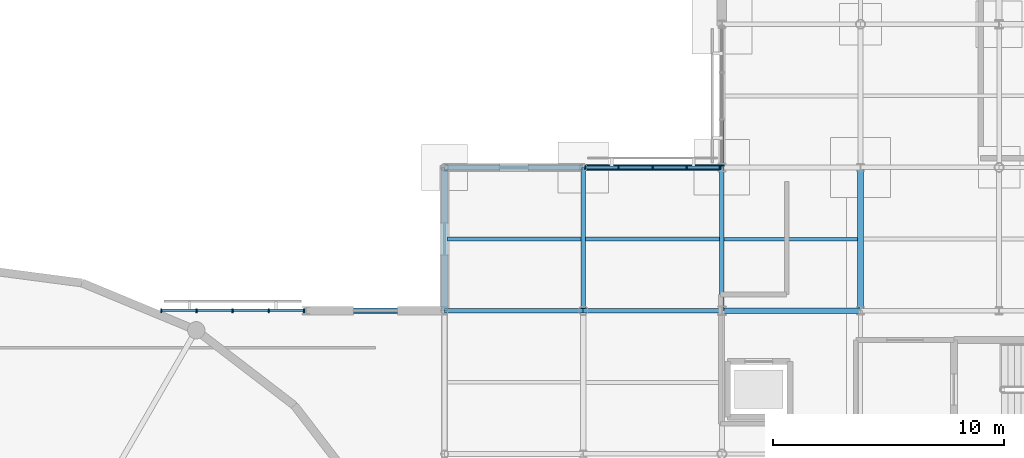
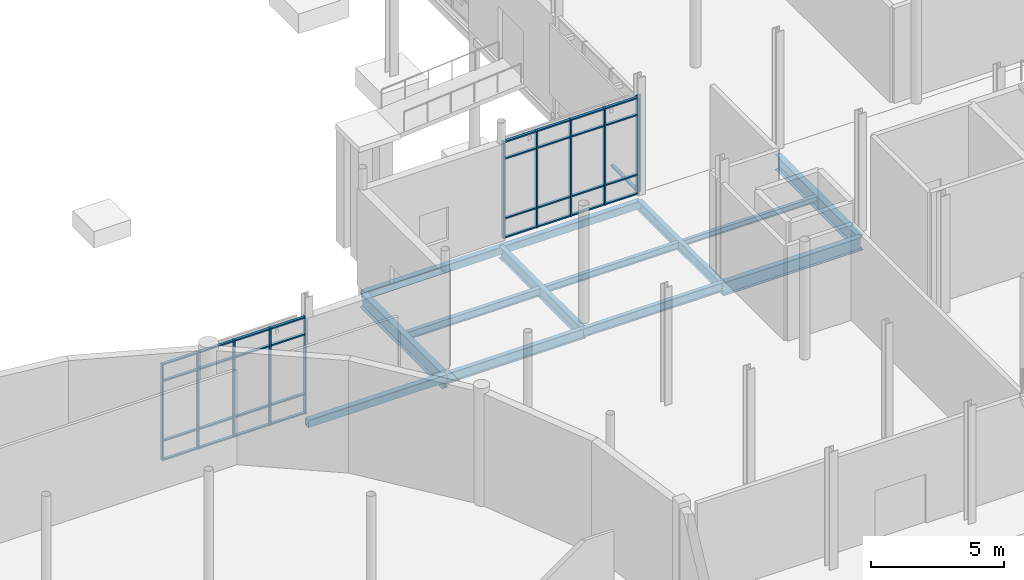
# One storey, part 46 of 98: 44 members, 13 beams, 3 elements without a shape of their own.
"""IFC4 building model written with IfcOpenShell, lengths in metres."""

from ifc_helpers import new_model, si_unit, direction, frame, origin, origin_2d, place, context, subcontext, project, spatial, rectangle, hollow_rectangle, i_section, extrude, material, layer, layer_set, material_profile, profile_set, type_object, element, aggregate, save


model = new_model("IFC4")

# Units and contexts
model_context = context("Model", 3, precision=1e-05, world=origin(), true_north=direction((0.0, 1.0)))
body_context = subcontext(model_context, "Body", "Model", "MODEL_VIEW")
ifc_project = project(units=[si_unit("LENGTHUNIT", "METRE"), si_unit("AREAUNIT", "SQUARE_METRE"), si_unit("VOLUMEUNIT", "CUBIC_METRE"), si_unit("PLANEANGLEUNIT", "RADIAN"), si_unit("MASSUNIT", "GRAM", prefix="KILO")], contexts=[model_context])

# Site, building, storey
site_placement = place(None, origin())
site = spatial("IfcSite", under=ifc_project, at=site_placement, CompositionType="ELEMENT")
building_placement = place(site_placement, origin())
building = spatial("IfcBuilding", under=site, at=building_placement, Name="Mirzam Square Science Centre", CompositionType="ELEMENT")
storey_placement = place(building_placement, origin())
storey = spatial("IfcBuildingStorey", under=building, at=storey_placement, Name="L00", CompositionType="ELEMENT", Elevation=0.0)

# Beams
ifc_material_1 = material(Name="Steel S355", Category="steel")
ifc_material_profile_1 = material_profile(ifc_material_1, i_section(OverallWidth=0.1787109375, OverallDepth=0.409423828125, WebThickness=0.0087890625, FlangeThickness=0.014404296875, FilletRadius=0.01025390625, at=origin_2d()), Name="406x178x67UB")
ifc_profile_set_1 = profile_set([ifc_material_profile_1], Name="Steel S355")
beam_type_1 = type_object("IfcBeamType", Name="BM-UB406", PredefinedType="BEAM", material=ifc_profile_set_1)
beam_1_placement = place(storey_placement, frame((108.0, 80.60009765625, -0.504638671875), z_axis=(1.0, 0.0, 0.0), x_axis=(0.0, 1.0, 0.0)))
element("IfcBeam", 1, at=beam_1_placement, inside=storey, type_object=beam_type_1, Name="L00 girder X19-14", PredefinedType="BEAM", context=body_context, shape_type="SweptSolid", body=[
    extrude(i_section(OverallWidth=0.1787109375, OverallDepth=0.409423828125, WebThickness=0.0087890625, FlangeThickness=0.014404296875, FilletRadius=0.01025390625, at=origin_2d()), origin(), (0.0, 0.0, 1.0), 6.0),
])
ifc_material_profile_2 = material_profile(ifc_material_1, i_section(OverallWidth=0.19140625, OverallDepth=0.4599609375, WebThickness=0.010009765625, FlangeThickness=0.01611328125, FilletRadius=0.01025390625, at=origin_2d()), Name="457x191x82UB")
ifc_profile_set_2 = profile_set([ifc_material_profile_2], Name="Steel S355")
beam_type_2 = type_object("IfcBeamType", Name="BM-UB457", PredefinedType="BEAM", material=ifc_profile_set_2)
beam_2_placement = place(storey_placement, frame((102.0, 80.60009765625, -0.530029296875), z_axis=(1.0, 0.0, 0.0), x_axis=(0.0, 1.0, 0.0)))
element("IfcBeam", 2, at=beam_2_placement, inside=storey, type_object=beam_type_2, Name="L00 girder X18-14", PredefinedType="BEAM", context=body_context, shape_type="SweptSolid", body=[
    extrude(i_section(OverallWidth=0.19140625, OverallDepth=0.4599609375, WebThickness=0.010009765625, FlangeThickness=0.01611328125, FilletRadius=0.01025390625, at=origin_2d()), origin(), (0.0, 0.0, 1.0), 6.0),
])
beam_3_placement = place(storey_placement, frame((114.0, 80.60009765625, -0.530029296875), z_axis=(0.0, 1.0, 0.0), x_axis=(-1.0, 0.0, 0.0)))
element("IfcBeam", 3, at=beam_3_placement, inside=storey, type_object=beam_type_2, Name="L00 girder Y20-14", PredefinedType="BEAM", context=body_context, shape_type="SweptSolid", body=[
    extrude(i_section(OverallWidth=0.19140625, OverallDepth=0.4599609375, WebThickness=0.010009765625, FlangeThickness=0.01611328125, FilletRadius=0.01025390625, at=origin_2d()), origin(), (0.0, 0.0, 1.0), 6.199951171875),
])
ifc_material_profile_3 = material_profile(ifc_material_1, i_section(OverallWidth=0.2099609375, OverallDepth=0.53662109375, WebThickness=0.0107421875, FlangeThickness=0.017333984375, FilletRadius=0.0126953125, at=origin_2d()), Name="533x210x101UB")
ifc_profile_set_3 = profile_set([ifc_material_profile_3], Name="Steel S355")
beam_type_3 = type_object("IfcBeamType", Name="BM-UB533", PredefinedType="BEAM", material=ifc_profile_set_3)
beam_4_placement = place(storey_placement, frame((108.0, 80.60009765625, -0.568359375), z_axis=(0.0, 1.0, 0.0), x_axis=(-1.0, 0.0, 0.0)))
element("IfcBeam", 4, at=beam_4_placement, inside=storey, type_object=beam_type_3, Name="L00 girder Y19-14", PredefinedType="BEAM", context=body_context, shape_type="SweptSolid", body=[
    extrude(i_section(OverallWidth=0.2099609375, OverallDepth=0.53662109375, WebThickness=0.0107421875, FlangeThickness=0.017333984375, FilletRadius=0.0126953125, at=origin_2d()), origin(), (0.0, 0.0, 1.0), 6.199951171875),
])
ifc_material_profile_4 = material_profile(ifc_material_1, i_section(OverallWidth=0.22900390625, OverallDepth=0.6123046875, WebThickness=0.011962890625, FlangeThickness=0.01953125, FilletRadius=0.0126953125, at=origin_2d()), Name="610x229x125UB")
ifc_profile_set_4 = profile_set([ifc_material_profile_4], Name="Steel S355")
beam_type_4 = type_object("IfcBeamType", Name="BM-UB610", PredefinedType="BEAM", material=ifc_profile_set_4)
beam_5_placement = place(storey_placement, frame((114.0, 80.60009765625, -0.606201171875), z_axis=(1.0, 0.0, 0.0), x_axis=(0.0, 1.0, 0.0)))
element("IfcBeam", 5, at=beam_5_placement, inside=storey, type_object=beam_type_4, Name="L00 girder X20-14", PredefinedType="BEAM", context=body_context, shape_type="SweptSolid", body=[
    extrude(i_section(OverallWidth=0.22900390625, OverallDepth=0.6123046875, WebThickness=0.011962890625, FlangeThickness=0.01953125, FilletRadius=0.0126953125, at=origin_2d()), origin(), (0.0, 0.0, 1.0), 6.0),
])
ifc_material_profile_5 = material_profile(ifc_material_1, i_section(OverallWidth=0.25439453125, OverallDepth=0.6875, WebThickness=0.01318359375, FlangeThickness=0.02099609375, FilletRadius=0.01513671875, at=origin_2d()), Name="686x254x152UB")
ifc_profile_set_5 = profile_set([ifc_material_profile_5], Name="Steel S355")
beam_type_5 = type_object("IfcBeamType", Name="BM-UB686", PredefinedType="BEAM", material=ifc_profile_set_5)
for number, where, z_axis, x_axis, name in (
    (6, (102.0, 80.60009765625, -0.643798828125), (0.0, 1.0, 0.0), (-1.0, 0.0, 0.0), "L00 girder Y18-14"),
    (7, (120.0, 80.60009765625, -0.643798828125), (0.0, 1.0, 0.0), (-1.0, 0.0, 0.0), "L00 girder Y21-14"),
):
    element("IfcBeam", number, at=place(storey_placement, frame(where, z_axis=z_axis, x_axis=x_axis)), inside=storey, type_object=beam_type_5, Name=name, PredefinedType="BEAM", context=body_context, shape_type="SweptSolid", body=[
        extrude(i_section(OverallWidth=0.25439453125, OverallDepth=0.6875, WebThickness=0.01318359375, FlangeThickness=0.02099609375, FilletRadius=0.01513671875, at=origin_2d()), origin(), (0.0, 0.0, 1.0), 6.199951171875),
    ])

# Curtain wall, members
ifc_material_2 = material(Name="Anodised Aluminium and Low-E Solar Glass", Category="aluminium")
ifc_layer_1 = layer(ifc_material_2, 0.199951171875)
ifc_layer_set_1 = layer_set([ifc_layer_1], Name="CW-EAST-A")
curtain_wall_type_1 = type_object("IfcCurtainWallType", Name="CW-EAST-A", PredefinedType="USERDEFINED", material=ifc_layer_set_1)
curtain_wall_1_placement = place(storey_placement, origin())
curtain_wall_1 = element("IfcCurtainWall", 8, at=curtain_wall_1_placement, inside=storey, type_object=curtain_wall_type_1, Name="L00 unitised curtain wall 48", ObjectType="UNITISED CURTAIN WALL", PredefinedType="USERDEFINED")
ifc_material_3 = material(Name="Anodised Architectural Aluminium 6063-T6", Category="aluminium")
ifc_material_profile_6 = material_profile(ifc_material_3, rectangle(XDim=0.06005859375, YDim=0.159912109375, at=origin_2d()), Name="ALU-MULL-160x60x4")
ifc_profile_set_6 = profile_set([ifc_material_profile_6], Name="Anodised Architectural Aluminium 6063-T6")
member_type_1 = type_object("IfcMemberType", Name="CWM-160", PredefinedType="MULLION", material=ifc_profile_set_6)
member_1_placement = place(storey_placement, frame((95.9150390625, 80.60009765625, 0.0), z_axis=(0.0, 0.0, 1.0), x_axis=(-1.0, 0.0, 0.0)))
member_1 = element("IfcMember", 9, at=member_1_placement, type_object=member_type_1, Name="CW-05 mullion 1", PredefinedType="MULLION", context=body_context, shape_type="SweptSolid", body=[
    extrude(rectangle(XDim=0.06005859375, YDim=0.159912109375, at=origin_2d()), origin(), (0.0, 0.0, 1.0), 4.43994140625),
])
member_2_placement = place(storey_placement, frame((94.385009765625, 80.60009765625, 0.0), z_axis=(0.0, 0.0, 1.0), x_axis=(-1.0, 0.0, 0.0)))
member_2 = element("IfcMember", 10, at=member_2_placement, type_object=member_type_1, Name="CW-05 mullion 2", PredefinedType="MULLION", context=body_context, shape_type="SweptSolid", body=[
    extrude(rectangle(XDim=0.06005859375, YDim=0.159912109375, at=origin_2d()), origin(), (0.0, 0.0, 1.0), 4.43994140625),
])
member_3_placement = place(storey_placement, frame((92.824951171875, 80.60009765625, 0.0), z_axis=(0.0, 0.0, 1.0), x_axis=(-1.0, 0.0, 0.0)))
member_3 = element("IfcMember", 11, at=member_3_placement, type_object=member_type_1, Name="CW-05 mullion 3", PredefinedType="MULLION", context=body_context, shape_type="SweptSolid", body=[
    extrude(rectangle(XDim=0.06005859375, YDim=0.159912109375, at=origin_2d()), origin(), (0.0, 0.0, 1.0), 4.43994140625),
])
member_4_placement = place(storey_placement, frame((91.264892578125, 80.60009765625, 0.0), z_axis=(0.0, 0.0, 1.0), x_axis=(-1.0, 0.0, 0.0)))
member_4 = element("IfcMember", 12, at=member_4_placement, type_object=member_type_1, Name="CW-05 mullion 4", PredefinedType="MULLION", context=body_context, shape_type="SweptSolid", body=[
    extrude(rectangle(XDim=0.06005859375, YDim=0.159912109375, at=origin_2d()), origin(), (0.0, 0.0, 1.0), 4.43994140625),
])
member_5_placement = place(storey_placement, frame((89.735107421875, 80.60009765625, 0.0), z_axis=(0.0, 0.0, 1.0), x_axis=(-1.0, 0.0, 0.0)))
member_5 = element("IfcMember", 13, at=member_5_placement, type_object=member_type_1, Name="CW-05 mullion 5", PredefinedType="MULLION", context=body_context, shape_type="SweptSolid", body=[
    extrude(rectangle(XDim=0.06005859375, YDim=0.159912109375, at=origin_2d()), origin(), (0.0, 0.0, 1.0), 4.43994140625),
])

ifc_layer_2 = layer(ifc_material_2, 0.159912109375)
ifc_layer_set_2 = layer_set([ifc_layer_2], Name="CW-COURT-B")
curtain_wall_type_2 = type_object("IfcCurtainWallType", Name="CW-COURT-B", PredefinedType="USERDEFINED", material=ifc_layer_set_2)
curtain_wall_2_placement = place(storey_placement, origin())
curtain_wall_2 = element("IfcCurtainWall", 14, at=curtain_wall_2_placement, inside=storey, type_object=curtain_wall_type_2, Name="L00 unitised curtain wall 71", ObjectType="UNITISED CURTAIN WALL", PredefinedType="USERDEFINED")
member_6_placement = place(storey_placement, frame((113.9150390625, 86.800048828125, 0.0), z_axis=(0.0, 0.0, 1.0), x_axis=(-1.0, 0.0, 0.0)))
member_6 = element("IfcMember", 15, at=member_6_placement, type_object=member_type_1, Name="CW-04 mullion 1", PredefinedType="MULLION", context=body_context, shape_type="SweptSolid", body=[
    extrude(rectangle(XDim=0.06005859375, YDim=0.159912109375, at=origin_2d()), origin(), (0.0, 0.0, 1.0), 4.43994140625),
])
member_7_placement = place(storey_placement, frame((112.472412109375, 86.800048828125, 0.0), z_axis=(0.0, 0.0, 1.0), x_axis=(-1.0, 0.0, 0.0)))
member_7 = element("IfcMember", 16, at=member_7_placement, type_object=member_type_1, Name="CW-04 mullion 2", PredefinedType="MULLION", context=body_context, shape_type="SweptSolid", body=[
    extrude(rectangle(XDim=0.06005859375, YDim=0.159912109375, at=origin_2d()), origin(), (0.0, 0.0, 1.0), 4.43994140625),
])
member_8_placement = place(storey_placement, frame((111.0, 86.800048828125, 0.0), z_axis=(0.0, 0.0, 1.0), x_axis=(-1.0, 0.0, 0.0)))
member_8 = element("IfcMember", 17, at=member_8_placement, type_object=member_type_1, Name="CW-04 mullion 3", PredefinedType="MULLION", context=body_context, shape_type="SweptSolid", body=[
    extrude(rectangle(XDim=0.06005859375, YDim=0.159912109375, at=origin_2d()), origin(), (0.0, 0.0, 1.0), 4.43994140625),
])
member_9_placement = place(storey_placement, frame((109.527587890625, 86.800048828125, 0.0), z_axis=(0.0, 0.0, 1.0), x_axis=(-1.0, 0.0, 0.0)))
member_9 = element("IfcMember", 18, at=member_9_placement, type_object=member_type_1, Name="CW-04 mullion 4", PredefinedType="MULLION", context=body_context, shape_type="SweptSolid", body=[
    extrude(rectangle(XDim=0.06005859375, YDim=0.159912109375, at=origin_2d()), origin(), (0.0, 0.0, 1.0), 4.43994140625),
])
member_10_placement = place(storey_placement, frame((108.0849609375, 86.800048828125, 0.0), z_axis=(0.0, 0.0, 1.0), x_axis=(-1.0, 0.0, 0.0)))
member_10 = element("IfcMember", 19, at=member_10_placement, type_object=member_type_1, Name="CW-04 mullion 5", PredefinedType="MULLION", context=body_context, shape_type="SweptSolid", body=[
    extrude(rectangle(XDim=0.06005859375, YDim=0.159912109375, at=origin_2d()), origin(), (0.0, 0.0, 1.0), 4.43994140625),
])

# Curtain wall, member
ifc_layer_3 = layer(ifc_material_2, 0.199951171875)
ifc_layer_set_3 = layer_set([ifc_layer_3], Name="CW-PARK-B")
curtain_wall_type_3 = type_object("IfcCurtainWallType", Name="CW-PARK-B", PredefinedType="USERDEFINED", material=ifc_layer_set_3)
curtain_wall_3_placement = place(storey_placement, origin())
curtain_wall_3 = element("IfcCurtainWall", 20, at=curtain_wall_3_placement, inside=storey, type_object=curtain_wall_type_3, Name="L00 unitised curtain wall 75", ObjectType="UNITISED CURTAIN WALL", PredefinedType="USERDEFINED")
ifc_material_profile_7 = material_profile(ifc_material_3, rectangle(XDim=0.06494140625, YDim=0.199951171875, at=origin_2d()), Name="ALU-MULL-200x65x5")
ifc_profile_set_7 = profile_set([ifc_material_profile_7], Name="Anodised Architectural Aluminium 6063-T6")
member_type_2 = type_object("IfcMemberType", Name="CWM-200", PredefinedType="MULLION", material=ifc_profile_set_7)
member_11_placement = place(storey_placement, frame((114.0, 86.887451171875, 0.0), z_axis=(0.0, 0.0, 1.0), x_axis=(0.0, -1.0, 0.0)))
member_11 = element("IfcMember", 21, at=member_11_placement, type_object=member_type_2, Name="CW-02 mullion 4", PredefinedType="MULLION", context=body_context, shape_type="SweptSolid", body=[
    extrude(rectangle(XDim=0.06494140625, YDim=0.199951171875, at=origin_2d()), origin(), (0.0, 0.0, 1.0), 4.43994140625),
])

# Member
ifc_material_profile_8 = material_profile(ifc_material_3, rectangle(XDim=0.1201171875, YDim=0.06005859375, at=origin_2d()), Name="ALU-TRAN-120x60x4")
ifc_profile_set_8 = profile_set([ifc_material_profile_8], Name="Anodised Architectural Aluminium 6063-T6")
member_type_3 = type_object("IfcMemberType", Name="CWT-120", PredefinedType="USERDEFINED", material=ifc_profile_set_8)
member_12_placement = place(storey_placement, frame((95.885009765625, 80.60009765625, 0.030029296875), z_axis=(-1.0, 0.0, 0.0), x_axis=(0.0, -1.0, 0.0)))
member_12 = element("IfcMember", 22, at=member_12_placement, type_object=member_type_3, Name="CW-05 transom 1.1", ObjectType="TRANSOM", PredefinedType="USERDEFINED", context=body_context, shape_type="SweptSolid", body=[
    extrude(rectangle(XDim=0.1201171875, YDim=0.06005859375, at=origin_2d()), origin(), (0.0, 0.0, 1.0), 1.469970703125),
])

member_13_placement = place(storey_placement, frame((95.885009765625, 80.60009765625, 0.89990234375), z_axis=(-1.0, 0.0, 0.0), x_axis=(0.0, -1.0, 0.0)))
member_13 = element("IfcMember", 23, at=member_13_placement, type_object=member_type_3, Name="CW-05 transom 1.2", ObjectType="TRANSOM", PredefinedType="USERDEFINED", context=body_context, shape_type="SweptSolid", body=[
    extrude(rectangle(XDim=0.1201171875, YDim=0.06005859375, at=origin_2d()), origin(), (0.0, 0.0, 1.0), 1.469970703125),
])

member_14_placement = place(storey_placement, frame((95.885009765625, 80.60009765625, 3.639892578125), z_axis=(-1.0, 0.0, 0.0), x_axis=(0.0, -1.0, 0.0)))
member_14 = element("IfcMember", 24, at=member_14_placement, type_object=member_type_3, Name="CW-05 transom 1.3", ObjectType="TRANSOM", PredefinedType="USERDEFINED", context=body_context, shape_type="SweptSolid", body=[
    extrude(rectangle(XDim=0.1201171875, YDim=0.06005859375, at=origin_2d()), origin(), (0.0, 0.0, 1.0), 1.469970703125),
])

member_15_placement = place(storey_placement, frame((95.885009765625, 80.60009765625, 4.409912109375), z_axis=(-1.0, 0.0, 0.0), x_axis=(0.0, -1.0, 0.0)))
member_15 = element("IfcMember", 25, at=member_15_placement, type_object=member_type_3, Name="CW-05 transom 1.4", ObjectType="TRANSOM", PredefinedType="USERDEFINED", context=body_context, shape_type="SweptSolid", body=[
    extrude(rectangle(XDim=0.1201171875, YDim=0.06005859375, at=origin_2d()), origin(), (0.0, 0.0, 1.0), 1.469970703125),
])

member_16_placement = place(storey_placement, frame((94.35498046875, 80.60009765625, 0.030029296875), z_axis=(-1.0, 0.0, 0.0), x_axis=(0.0, -1.0, 0.0)))
member_16 = element("IfcMember", 26, at=member_16_placement, type_object=member_type_3, Name="CW-05 transom 2.1", ObjectType="TRANSOM", PredefinedType="USERDEFINED", context=body_context, shape_type="SweptSolid", body=[
    extrude(rectangle(XDim=0.1201171875, YDim=0.06005859375, at=origin_2d()), origin(), (0.0, 0.0, 1.0), 1.5),
])

member_17_placement = place(storey_placement, frame((94.35498046875, 80.60009765625, 0.89990234375), z_axis=(-1.0, 0.0, 0.0), x_axis=(0.0, -1.0, 0.0)))
member_17 = element("IfcMember", 27, at=member_17_placement, type_object=member_type_3, Name="CW-05 transom 2.2", ObjectType="TRANSOM", PredefinedType="USERDEFINED", context=body_context, shape_type="SweptSolid", body=[
    extrude(rectangle(XDim=0.1201171875, YDim=0.06005859375, at=origin_2d()), origin(), (0.0, 0.0, 1.0), 1.5),
])

member_18_placement = place(storey_placement, frame((94.35498046875, 80.60009765625, 3.639892578125), z_axis=(-1.0, 0.0, 0.0), x_axis=(0.0, -1.0, 0.0)))
member_18 = element("IfcMember", 28, at=member_18_placement, type_object=member_type_3, Name="CW-05 transom 2.3", ObjectType="TRANSOM", PredefinedType="USERDEFINED", context=body_context, shape_type="SweptSolid", body=[
    extrude(rectangle(XDim=0.1201171875, YDim=0.06005859375, at=origin_2d()), origin(), (0.0, 0.0, 1.0), 1.5),
])

member_19_placement = place(storey_placement, frame((94.35498046875, 80.60009765625, 4.409912109375), z_axis=(-1.0, 0.0, 0.0), x_axis=(0.0, -1.0, 0.0)))
member_19 = element("IfcMember", 29, at=member_19_placement, type_object=member_type_3, Name="CW-05 transom 2.4", ObjectType="TRANSOM", PredefinedType="USERDEFINED", context=body_context, shape_type="SweptSolid", body=[
    extrude(rectangle(XDim=0.1201171875, YDim=0.06005859375, at=origin_2d()), origin(), (0.0, 0.0, 1.0), 1.5),
])

member_20_placement = place(storey_placement, frame((92.794921875, 80.60009765625, 0.030029296875), z_axis=(-1.0, 0.0, 0.0), x_axis=(0.0, -1.0, 0.0)))
member_20 = element("IfcMember", 30, at=member_20_placement, type_object=member_type_3, Name="CW-05 transom 3.1", ObjectType="TRANSOM", PredefinedType="USERDEFINED", context=body_context, shape_type="SweptSolid", body=[
    extrude(rectangle(XDim=0.1201171875, YDim=0.06005859375, at=origin_2d()), origin(), (0.0, 0.0, 1.0), 1.5),
])

member_21_placement = place(storey_placement, frame((92.794921875, 80.60009765625, 0.89990234375), z_axis=(-1.0, 0.0, 0.0), x_axis=(0.0, -1.0, 0.0)))
member_21 = element("IfcMember", 31, at=member_21_placement, type_object=member_type_3, Name="CW-05 transom 3.2", ObjectType="TRANSOM", PredefinedType="USERDEFINED", context=body_context, shape_type="SweptSolid", body=[
    extrude(rectangle(XDim=0.1201171875, YDim=0.06005859375, at=origin_2d()), origin(), (0.0, 0.0, 1.0), 1.5),
])

member_22_placement = place(storey_placement, frame((92.794921875, 80.60009765625, 3.639892578125), z_axis=(-1.0, 0.0, 0.0), x_axis=(0.0, -1.0, 0.0)))
member_22 = element("IfcMember", 32, at=member_22_placement, type_object=member_type_3, Name="CW-05 transom 3.3", ObjectType="TRANSOM", PredefinedType="USERDEFINED", context=body_context, shape_type="SweptSolid", body=[
    extrude(rectangle(XDim=0.1201171875, YDim=0.06005859375, at=origin_2d()), origin(), (0.0, 0.0, 1.0), 1.5),
])

member_23_placement = place(storey_placement, frame((92.794921875, 80.60009765625, 4.409912109375), z_axis=(-1.0, 0.0, 0.0), x_axis=(0.0, -1.0, 0.0)))
member_23 = element("IfcMember", 33, at=member_23_placement, type_object=member_type_3, Name="CW-05 transom 3.4", ObjectType="TRANSOM", PredefinedType="USERDEFINED", context=body_context, shape_type="SweptSolid", body=[
    extrude(rectangle(XDim=0.1201171875, YDim=0.06005859375, at=origin_2d()), origin(), (0.0, 0.0, 1.0), 1.5),
])

member_24_placement = place(storey_placement, frame((91.235107421875, 80.60009765625, 0.030029296875), z_axis=(-1.0, 0.0, 0.0), x_axis=(0.0, -1.0, 0.0)))
member_24 = element("IfcMember", 34, at=member_24_placement, type_object=member_type_3, Name="CW-05 transom 4.1", ObjectType="TRANSOM", PredefinedType="USERDEFINED", context=body_context, shape_type="SweptSolid", body=[
    extrude(rectangle(XDim=0.1201171875, YDim=0.06005859375, at=origin_2d()), origin(), (0.0, 0.0, 1.0), 1.47021484375),
])

member_25_placement = place(storey_placement, frame((91.235107421875, 80.60009765625, 0.89990234375), z_axis=(-1.0, 0.0, 0.0), x_axis=(0.0, -1.0, 0.0)))
member_25 = element("IfcMember", 35, at=member_25_placement, type_object=member_type_3, Name="CW-05 transom 4.2", ObjectType="TRANSOM", PredefinedType="USERDEFINED", context=body_context, shape_type="SweptSolid", body=[
    extrude(rectangle(XDim=0.1201171875, YDim=0.06005859375, at=origin_2d()), origin(), (0.0, 0.0, 1.0), 1.47021484375),
])

member_26_placement = place(storey_placement, frame((91.235107421875, 80.60009765625, 3.639892578125), z_axis=(-1.0, 0.0, 0.0), x_axis=(0.0, -1.0, 0.0)))
member_26 = element("IfcMember", 36, at=member_26_placement, type_object=member_type_3, Name="CW-05 transom 4.3", ObjectType="TRANSOM", PredefinedType="USERDEFINED", context=body_context, shape_type="SweptSolid", body=[
    extrude(rectangle(XDim=0.1201171875, YDim=0.06005859375, at=origin_2d()), origin(), (0.0, 0.0, 1.0), 1.47021484375),
])

member_27_placement = place(storey_placement, frame((91.235107421875, 80.60009765625, 4.409912109375), z_axis=(-1.0, 0.0, 0.0), x_axis=(0.0, -1.0, 0.0)))
member_27 = element("IfcMember", 37, at=member_27_placement, type_object=member_type_3, Name="CW-05 transom 4.4", ObjectType="TRANSOM", PredefinedType="USERDEFINED", context=body_context, shape_type="SweptSolid", body=[
    extrude(rectangle(XDim=0.1201171875, YDim=0.06005859375, at=origin_2d()), origin(), (0.0, 0.0, 1.0), 1.47021484375),
])

aggregate(curtain_wall_1, [member_1, member_2, member_3, member_4, member_5, member_12, member_13, member_14, member_15, member_16, member_17, member_18, member_19, member_20, member_21, member_22, member_23, member_24, member_25, member_26, member_27])

member_28_placement = place(storey_placement, frame((113.885009765625, 86.800048828125, 0.030029296875), z_axis=(-1.0, 0.0, 0.0), x_axis=(0.0, -1.0, 0.0)))
member_28 = element("IfcMember", 38, at=member_28_placement, type_object=member_type_3, Name="CW-04 transom 1.1", ObjectType="TRANSOM", PredefinedType="USERDEFINED", context=body_context, shape_type="SweptSolid", body=[
    extrude(rectangle(XDim=0.1201171875, YDim=0.06005859375, at=origin_2d()), origin(), (0.0, 0.0, 1.0), 1.382568359375),
])

member_29_placement = place(storey_placement, frame((113.885009765625, 86.800048828125, 0.89990234375), z_axis=(-1.0, 0.0, 0.0), x_axis=(0.0, -1.0, 0.0)))
member_29 = element("IfcMember", 39, at=member_29_placement, type_object=member_type_3, Name="CW-04 transom 1.2", ObjectType="TRANSOM", PredefinedType="USERDEFINED", context=body_context, shape_type="SweptSolid", body=[
    extrude(rectangle(XDim=0.1201171875, YDim=0.06005859375, at=origin_2d()), origin(), (0.0, 0.0, 1.0), 1.382568359375),
])

member_30_placement = place(storey_placement, frame((113.885009765625, 86.800048828125, 3.639892578125), z_axis=(-1.0, 0.0, 0.0), x_axis=(0.0, -1.0, 0.0)))
member_30 = element("IfcMember", 40, at=member_30_placement, type_object=member_type_3, Name="CW-04 transom 1.3", ObjectType="TRANSOM", PredefinedType="USERDEFINED", context=body_context, shape_type="SweptSolid", body=[
    extrude(rectangle(XDim=0.1201171875, YDim=0.06005859375, at=origin_2d()), origin(), (0.0, 0.0, 1.0), 1.382568359375),
])

member_31_placement = place(storey_placement, frame((113.885009765625, 86.800048828125, 4.409912109375), z_axis=(-1.0, 0.0, 0.0), x_axis=(0.0, -1.0, 0.0)))
member_31 = element("IfcMember", 41, at=member_31_placement, type_object=member_type_3, Name="CW-04 transom 1.4", ObjectType="TRANSOM", PredefinedType="USERDEFINED", context=body_context, shape_type="SweptSolid", body=[
    extrude(rectangle(XDim=0.1201171875, YDim=0.06005859375, at=origin_2d()), origin(), (0.0, 0.0, 1.0), 1.382568359375),
])

member_32_placement = place(storey_placement, frame((112.4423828125, 86.800048828125, 0.030029296875), z_axis=(-1.0, 0.0, 0.0), x_axis=(0.0, -1.0, 0.0)))
member_32 = element("IfcMember", 42, at=member_32_placement, type_object=member_type_3, Name="CW-04 transom 2.1", ObjectType="TRANSOM", PredefinedType="USERDEFINED", context=body_context, shape_type="SweptSolid", body=[
    extrude(rectangle(XDim=0.1201171875, YDim=0.06005859375, at=origin_2d()), origin(), (0.0, 0.0, 1.0), 1.412353515625),
])

member_33_placement = place(storey_placement, frame((112.4423828125, 86.800048828125, 0.89990234375), z_axis=(-1.0, 0.0, 0.0), x_axis=(0.0, -1.0, 0.0)))
member_33 = element("IfcMember", 43, at=member_33_placement, type_object=member_type_3, Name="CW-04 transom 2.2", ObjectType="TRANSOM", PredefinedType="USERDEFINED", context=body_context, shape_type="SweptSolid", body=[
    extrude(rectangle(XDim=0.1201171875, YDim=0.06005859375, at=origin_2d()), origin(), (0.0, 0.0, 1.0), 1.412353515625),
])

member_34_placement = place(storey_placement, frame((112.4423828125, 86.800048828125, 3.639892578125), z_axis=(-1.0, 0.0, 0.0), x_axis=(0.0, -1.0, 0.0)))
member_34 = element("IfcMember", 44, at=member_34_placement, type_object=member_type_3, Name="CW-04 transom 2.3", ObjectType="TRANSOM", PredefinedType="USERDEFINED", context=body_context, shape_type="SweptSolid", body=[
    extrude(rectangle(XDim=0.1201171875, YDim=0.06005859375, at=origin_2d()), origin(), (0.0, 0.0, 1.0), 1.412353515625),
])

member_35_placement = place(storey_placement, frame((112.4423828125, 86.800048828125, 4.409912109375), z_axis=(-1.0, 0.0, 0.0), x_axis=(0.0, -1.0, 0.0)))
member_35 = element("IfcMember", 45, at=member_35_placement, type_object=member_type_3, Name="CW-04 transom 2.4", ObjectType="TRANSOM", PredefinedType="USERDEFINED", context=body_context, shape_type="SweptSolid", body=[
    extrude(rectangle(XDim=0.1201171875, YDim=0.06005859375, at=origin_2d()), origin(), (0.0, 0.0, 1.0), 1.412353515625),
])

member_36_placement = place(storey_placement, frame((110.969970703125, 86.800048828125, 0.030029296875), z_axis=(-1.0, 0.0, 0.0), x_axis=(0.0, -1.0, 0.0)))
member_36 = element("IfcMember", 46, at=member_36_placement, type_object=member_type_3, Name="CW-04 transom 3.1", ObjectType="TRANSOM", PredefinedType="USERDEFINED", context=body_context, shape_type="SweptSolid", body=[
    extrude(rectangle(XDim=0.1201171875, YDim=0.06005859375, at=origin_2d()), origin(), (0.0, 0.0, 1.0), 1.412353515625),
])

member_37_placement = place(storey_placement, frame((110.969970703125, 86.800048828125, 0.89990234375), z_axis=(-1.0, 0.0, 0.0), x_axis=(0.0, -1.0, 0.0)))
member_37 = element("IfcMember", 47, at=member_37_placement, type_object=member_type_3, Name="CW-04 transom 3.2", ObjectType="TRANSOM", PredefinedType="USERDEFINED", context=body_context, shape_type="SweptSolid", body=[
    extrude(rectangle(XDim=0.1201171875, YDim=0.06005859375, at=origin_2d()), origin(), (0.0, 0.0, 1.0), 1.412353515625),
])

member_38_placement = place(storey_placement, frame((110.969970703125, 86.800048828125, 3.639892578125), z_axis=(-1.0, 0.0, 0.0), x_axis=(0.0, -1.0, 0.0)))
member_38 = element("IfcMember", 48, at=member_38_placement, type_object=member_type_3, Name="CW-04 transom 3.3", ObjectType="TRANSOM", PredefinedType="USERDEFINED", context=body_context, shape_type="SweptSolid", body=[
    extrude(rectangle(XDim=0.1201171875, YDim=0.06005859375, at=origin_2d()), origin(), (0.0, 0.0, 1.0), 1.412353515625),
])

member_39_placement = place(storey_placement, frame((110.969970703125, 86.800048828125, 4.409912109375), z_axis=(-1.0, 0.0, 0.0), x_axis=(0.0, -1.0, 0.0)))
member_39 = element("IfcMember", 49, at=member_39_placement, type_object=member_type_3, Name="CW-04 transom 3.4", ObjectType="TRANSOM", PredefinedType="USERDEFINED", context=body_context, shape_type="SweptSolid", body=[
    extrude(rectangle(XDim=0.1201171875, YDim=0.06005859375, at=origin_2d()), origin(), (0.0, 0.0, 1.0), 1.412353515625),
])

member_40_placement = place(storey_placement, frame((109.49755859375, 86.800048828125, 0.030029296875), z_axis=(-1.0, 0.0, 0.0), x_axis=(0.0, -1.0, 0.0)))
member_40 = element("IfcMember", 50, at=member_40_placement, type_object=member_type_3, Name="CW-04 transom 4.1", ObjectType="TRANSOM", PredefinedType="USERDEFINED", context=body_context, shape_type="SweptSolid", body=[
    extrude(rectangle(XDim=0.1201171875, YDim=0.06005859375, at=origin_2d()), origin(), (0.0, 0.0, 1.0), 1.382568359375),
])

member_41_placement = place(storey_placement, frame((109.49755859375, 86.800048828125, 0.89990234375), z_axis=(-1.0, 0.0, 0.0), x_axis=(0.0, -1.0, 0.0)))
member_41 = element("IfcMember", 51, at=member_41_placement, type_object=member_type_3, Name="CW-04 transom 4.2", ObjectType="TRANSOM", PredefinedType="USERDEFINED", context=body_context, shape_type="SweptSolid", body=[
    extrude(rectangle(XDim=0.1201171875, YDim=0.06005859375, at=origin_2d()), origin(), (0.0, 0.0, 1.0), 1.382568359375),
])

member_42_placement = place(storey_placement, frame((109.49755859375, 86.800048828125, 3.639892578125), z_axis=(-1.0, 0.0, 0.0), x_axis=(0.0, -1.0, 0.0)))
member_42 = element("IfcMember", 52, at=member_42_placement, type_object=member_type_3, Name="CW-04 transom 4.3", ObjectType="TRANSOM", PredefinedType="USERDEFINED", context=body_context, shape_type="SweptSolid", body=[
    extrude(rectangle(XDim=0.1201171875, YDim=0.06005859375, at=origin_2d()), origin(), (0.0, 0.0, 1.0), 1.382568359375),
])

member_43_placement = place(storey_placement, frame((109.49755859375, 86.800048828125, 4.409912109375), z_axis=(-1.0, 0.0, 0.0), x_axis=(0.0, -1.0, 0.0)))
member_43 = element("IfcMember", 53, at=member_43_placement, type_object=member_type_3, Name="CW-04 transom 4.4", ObjectType="TRANSOM", PredefinedType="USERDEFINED", context=body_context, shape_type="SweptSolid", body=[
    extrude(rectangle(XDim=0.1201171875, YDim=0.06005859375, at=origin_2d()), origin(), (0.0, 0.0, 1.0), 1.382568359375),
])

aggregate(curtain_wall_2, [member_6, member_7, member_8, member_9, member_10, member_28, member_29, member_30, member_31, member_32, member_33, member_34, member_35, member_36, member_37, member_38, member_39, member_40, member_41, member_42, member_43])

ifc_material_profile_9 = material_profile(ifc_material_3, rectangle(XDim=0.14990234375, YDim=0.06494140625, at=origin_2d()), Name="ALU-TRAN-150x65x4")
ifc_profile_set_9 = profile_set([ifc_material_profile_9], Name="Anodised Architectural Aluminium 6063-T6")
member_type_4 = type_object("IfcMemberType", Name="CWT-150", PredefinedType="USERDEFINED", material=ifc_profile_set_9)
member_44_placement = place(storey_placement, frame((114.0, 88.8525390625, 0.032470703125), z_axis=(0.0, -1.0, 0.0), x_axis=(1.0, 0.0, 0.0)))
member_44 = element("IfcMember", 54, at=member_44_placement, type_object=member_type_4, Name="CW-02 transom 3.1", ObjectType="TRANSOM", PredefinedType="USERDEFINED", context=body_context, shape_type="SweptSolid", body=[
    extrude(rectangle(XDim=0.14990234375, YDim=0.06494140625, at=origin_2d()), origin(), (0.0, 0.0, 1.0), 1.9326171875),
])

aggregate(curtain_wall_3, [member_11, member_44])

# Beams
ifc_material_profile_10 = material_profile(ifc_material_1, i_section(OverallWidth=0.146484375, OverallDepth=0.256103515625, WebThickness=0.00634765625, FlangeThickness=0.010986328125, FilletRadius=0.007568359375, at=origin_2d()), Name="254x146x37UB")
ifc_profile_set_10 = profile_set([ifc_material_profile_10], Name="Steel S355")
beam_type_6 = type_object("IfcBeamType", Name="JS-UB254", PredefinedType="JOIST", material=ifc_profile_set_10)
beam_6_placement = place(storey_placement, frame((114.095703125, 83.699951171875, -0.427978515625), z_axis=(1.0, 0.0, 0.0), x_axis=(0.0, 1.0, 0.0)))
element("IfcBeam", 55, at=beam_6_placement, inside=storey, type_object=beam_type_6, Name="L00 composite joist 20-14", PredefinedType="JOIST", context=body_context, shape_type="SweptSolid", body=[
    extrude(i_section(OverallWidth=0.146484375, OverallDepth=0.256103515625, WebThickness=0.00634765625, FlangeThickness=0.010986328125, FilletRadius=0.007568359375, at=origin_2d()), origin(), (0.0, 0.0, 1.0), 5.777099609375),
])
ifc_material_profile_11 = material_profile(ifc_material_1, i_section(OverallWidth=0.165771484375, OverallDepth=0.306640625, WebThickness=0.006591796875, FlangeThickness=0.01171875, FilletRadius=0.0087890625, at=origin_2d()), Name="305x165x46UB")
ifc_profile_set_11 = profile_set([ifc_material_profile_11], Name="Steel S355")
beam_type_7 = type_object("IfcBeamType", Name="JS-UB305", PredefinedType="JOIST", material=ifc_profile_set_11)
beam_7_placement = place(storey_placement, frame((108.10498046875, 83.699951171875, -0.453369140625), z_axis=(1.0, 0.0, 0.0), x_axis=(0.0, 1.0, 0.0)))
element("IfcBeam", 56, at=beam_7_placement, inside=storey, type_object=beam_type_7, Name="L00 composite joist 19-14", PredefinedType="JOIST", context=body_context, shape_type="SweptSolid", body=[
    extrude(i_section(OverallWidth=0.165771484375, OverallDepth=0.306640625, WebThickness=0.006591796875, FlangeThickness=0.01171875, FilletRadius=0.0087890625, at=origin_2d()), origin(), (0.0, 0.0, 1.0), 5.79931640625),
])
ifc_material_profile_12 = material_profile(ifc_material_1, i_section(OverallWidth=0.172119140625, OverallDepth=0.35791015625, WebThickness=0.008056640625, FlangeThickness=0.012939453125, FilletRadius=0.01025390625, at=origin_2d()), Name="356x171x57UB")
ifc_profile_set_12 = profile_set([ifc_material_profile_12], Name="Steel S355")
beam_type_8 = type_object("IfcBeamType", Name="JS-UB356", PredefinedType="JOIST", material=ifc_profile_set_12)
beam_8_placement = place(storey_placement, frame((102.127197265625, 83.699951171875, -0.47900390625), z_axis=(1.0, 0.0, 0.0), x_axis=(0.0, 1.0, 0.0)))
element("IfcBeam", 57, at=beam_8_placement, inside=storey, type_object=beam_type_8, Name="L00 composite joist 18-14", PredefinedType="JOIST", context=body_context, shape_type="SweptSolid", body=[
    extrude(i_section(OverallWidth=0.172119140625, OverallDepth=0.35791015625, WebThickness=0.008056640625, FlangeThickness=0.012939453125, FilletRadius=0.01025390625, at=origin_2d()), origin(), (0.0, 0.0, 1.0), 5.767822265625),
])
ifc_material_profile_13 = material_profile(ifc_material_1, hollow_rectangle(XDim=0.25, YDim=0.35009765625, WallThickness=0.012451171875, InnerFilletRadius=0.012451171875, OuterFilletRadius=0.02490234375, at=origin_2d()), Name="350x250x12.5RHS")
ifc_profile_set_13 = profile_set([ifc_material_profile_13], Name="Steel S355")
beam_type_9 = type_object("IfcBeamType", Name="SP-RHS350", PredefinedType="SPANDREL", material=ifc_profile_set_13)
for number, where, z_axis, x_axis, name in (
    (58, (96.0, 80.60009765625, -0.47509765625), (1.0, 0.0, 0.0), (0.0, 1.0, 0.0), "L00 girder X17-14"),
    (59, (102.0, 86.800048828125, -0.47509765625), (1.0, 0.0, 0.0), (0.0, 1.0, 0.0), "L00 girder X18-15"),
    (60, (108.0, 86.800048828125, -0.47509765625), (1.0, 0.0, 0.0), (0.0, 1.0, 0.0), "L00 girder X19-15"),
):
    element("IfcBeam", number, at=place(storey_placement, frame(where, z_axis=z_axis, x_axis=x_axis)), inside=storey, type_object=beam_type_9, Name=name, PredefinedType="SPANDREL", context=body_context, shape_type="SweptSolid", body=[
        extrude(hollow_rectangle(XDim=0.25, YDim=0.35009765625, WallThickness=0.012451171875, InnerFilletRadius=0.012451171875, OuterFilletRadius=0.02490234375, at=origin_2d()), origin(), (0.0, 0.0, 1.0), 6.0),
    ])

save(model, "model.ifc")
